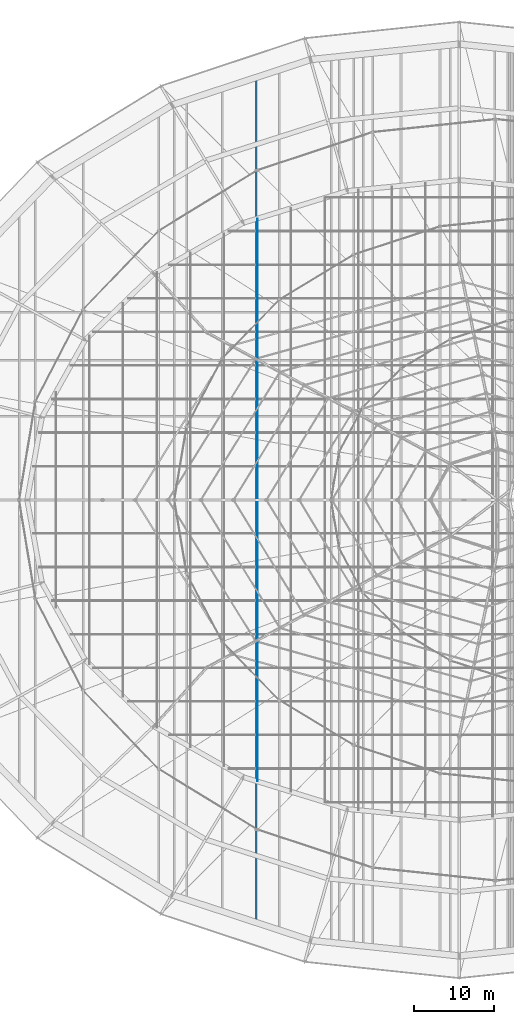
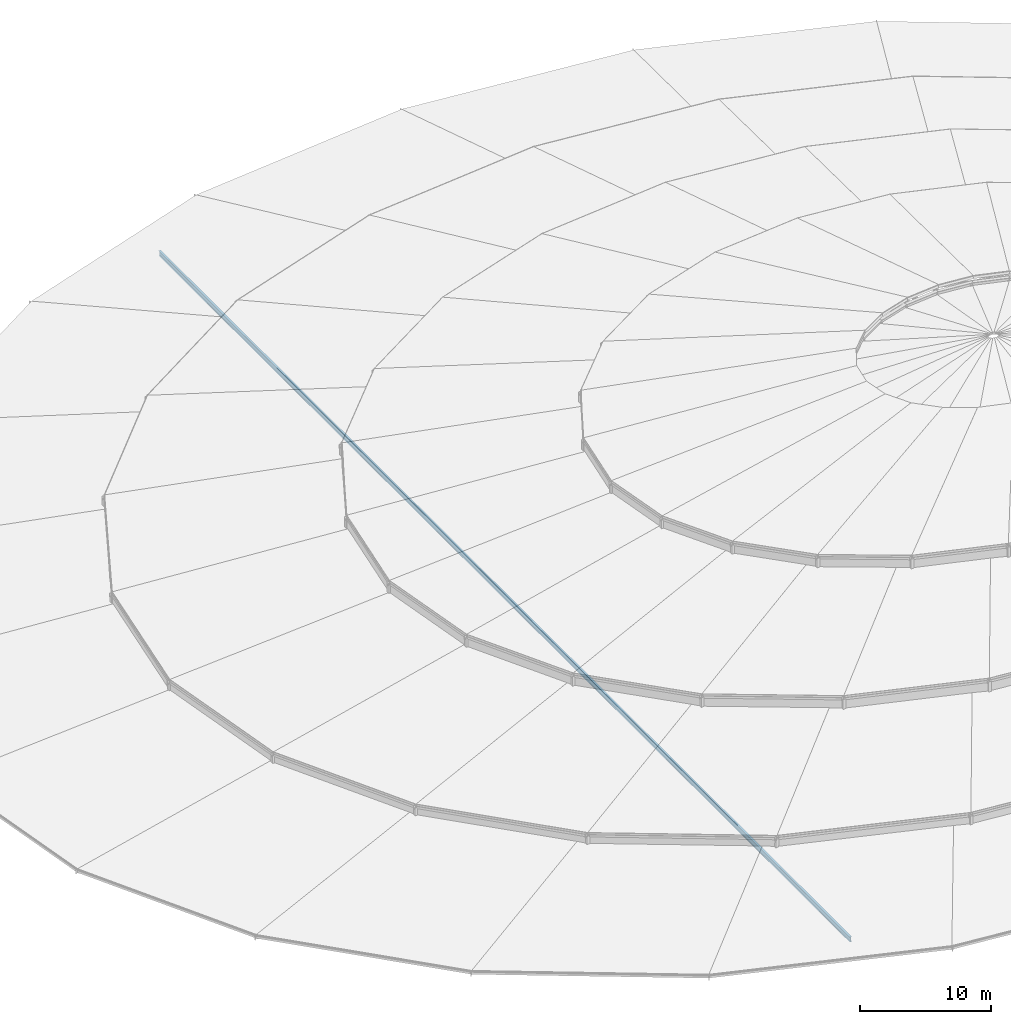
# One storey, part 22 of 184: 2 members.
"""IFC4 building model written with IfcOpenShell, lengths in metres."""

import ifcopenshell
import ifcopenshell.guid

model = None  # the IFC model being written
_history = None  # IfcOwnerHistory: only IFC2X3 demands one
_inside = {}  # id of a spatial element -> (the spatial element, [elements in it])
_under = {}  # id of a project, library or spatial element -> (it, [spatial elements below it])
_declared = {}  # id of a project -> (the project, [libraries it declares])
_typed = {}  # id of a type object -> (the type object, [elements of that type])
_made_of = {}  # id of a material, layer set ... -> (it, [elements and type objects made of it])


def new_model(schema):
    """Start an empty IFC model of exactly this schema.

    Asked for "IFC4X3", IfcOpenShell would pick the latest addendum, in which some entities
    have other attributes; the version numbers below select the first issue.
    IFC2X3 requires an IfcOwnerHistory on every rooted entity: one is made here for all.
    """
    global model, _history
    if schema == "IFC4X3":
        model = ifcopenshell.file(schema_version=(4, 3, 0, 0))
    else:
        model = ifcopenshell.file(schema=schema)
    _inside.clear()
    _under.clear()
    _declared.clear()
    _typed.clear()
    _made_of.clear()
    _history = None
    if model.schema == "IFC2X3":
        org = make("IfcOrganization", Name="unknown")
        user = make(
            "IfcPersonAndOrganization",
            ThePerson=make("IfcPerson", FamilyName="unknown"),
            TheOrganization=org,
        )
        app = make(
            "IfcApplication",
            ApplicationDeveloper=org,
            Version="unknown",
            ApplicationFullName="unknown",
            ApplicationIdentifier="unknown",
        )
        _history = make(
            "IfcOwnerHistory",
            OwningUser=user,
            OwningApplication=app,
            ChangeAction="ADDED",
            CreationDate=0,
        )
    return model


def make(cls, **values):
    """One entity of the class cls with the attributes given. An attribute that is None is left unset."""
    return model.create_entity(
        cls, **{name: value for name, value in values.items() if value is not None}
    )


def rooted(cls, **values):
    """An entity with a GlobalId (a new one), such as an element, a storey or a relation."""
    return make(cls, GlobalId=ifcopenshell.guid.new(), OwnerHistory=_history, **values)


def si_unit(unit_type, name, prefix=None):
    """IfcSIUnit, for example si_unit("LENGTHUNIT", "METRE", prefix="MILLI")."""
    return make("IfcSIUnit", UnitType=unit_type, Prefix=prefix, Name=name)


def assignment(units):
    """IfcUnitAssignment: the units of a project."""
    return None if units is None else make("IfcUnitAssignment", Units=units)


def point(xyz):
    """IfcCartesianPoint."""
    return None if xyz is None else make("IfcCartesianPoint", Coordinates=xyz)


def direction(xyz):
    """IfcDirection."""
    return None if xyz is None else make("IfcDirection", DirectionRatios=xyz)


def frame(location, z_axis=None, x_axis=None):
    """IfcAxis2Placement3D, a coordinate frame: its origin and axes. An axis left out is left unset."""
    return make(
        "IfcAxis2Placement3D",
        Location=point(location),
        Axis=direction(z_axis),
        RefDirection=direction(x_axis),
    )


def frame_2d(location, x_axis=None):
    """IfcAxis2Placement2D, a coordinate frame in the plane: its origin and x axis."""
    return make(
        "IfcAxis2Placement2D", Location=point(location), RefDirection=direction(x_axis)
    )


def origin():
    """The frame at (0, 0, 0) with its axes left unset."""
    return frame((0.0, 0.0, 0.0))


def origin_2d():
    """The frame at (0, 0) in the plane with its x axis left unset."""
    return frame_2d((0.0, 0.0))


def place(relative_to, where):
    """IfcLocalPlacement: puts the frame where relative to a parent placement (None: the world)."""
    return make(
        "IfcLocalPlacement", PlacementRelTo=relative_to, RelativePlacement=where
    )


def context(
    kind, dimensions, precision=None, world=None, true_north=None, identifier=None
):
    """IfcGeometricRepresentationContext, for example the 3D "Model" context."""
    return make(
        "IfcGeometricRepresentationContext",
        ContextIdentifier=identifier,
        ContextType=kind,
        CoordinateSpaceDimension=dimensions,
        Precision=precision,
        WorldCoordinateSystem=world,
        TrueNorth=true_north,
    )


def subcontext(parent, identifier, kind, view, scale=None):
    """IfcGeometricRepresentationSubContext, for example "Body" below "Model"."""
    return make(
        "IfcGeometricRepresentationSubContext",
        ContextIdentifier=identifier,
        ContextType=kind,
        ParentContext=parent,
        TargetScale=scale,
        TargetView=view,
    )


def project(units=None, contexts=None):
    """IfcProject with its units and contexts."""
    return rooted(
        "IfcProject",
        Name="project",
        RepresentationContexts=contexts,
        UnitsInContext=assignment(units),
    )


def spatial(cls, under=None, at=None, **own):
    """A site, building, storey or space (cls), placed at a placement, below another one or the project."""
    s = rooted(cls, ObjectPlacement=at, **own)
    if under is not None:
        _under.setdefault(under.id(), (under, []))[1].append(s)
    return s


def profile(cls, at=None, kind="AREA", **sizes):
    """A parametric profile (cls). Its sizes go by their IFC names, for example OverallWidth=200.0."""
    return make(cls, ProfileType=kind, Position=at, **sizes)


def circle(**sizes):
    """IfcCircleProfileDef."""
    return profile("IfcCircleProfileDef", **sizes)


def i_section(**sizes):
    """IfcIShapeProfileDef."""
    return profile("IfcIShapeProfileDef", **sizes)


def extrude(swept, where, along, depth):
    """IfcExtrudedAreaSolid: the profile swept, set in the frame where, extruded along a direction by depth."""
    return make(
        "IfcExtrudedAreaSolid",
        SweptArea=swept,
        Position=where,
        ExtrudedDirection=direction(along),
        Depth=depth,
    )


def shape(context_of_items, identifier, shape_type, items):
    """IfcShapeRepresentation: the items that make up one representation, for example the "Body"."""
    return make(
        "IfcShapeRepresentation",
        ContextOfItems=context_of_items,
        RepresentationIdentifier=identifier,
        RepresentationType=shape_type,
        Items=items,
    )


def material(Name=None, Category=None):
    """IfcMaterial."""
    return make("IfcMaterial", Name=Name, Category=Category)


def material_profile(
    of_material, cross_section, Name=None, Category=None, Priority=None
):
    """IfcMaterialProfile: a cross section and its material."""
    return make(
        "IfcMaterialProfile",
        Name=Name,
        Material=of_material,
        Profile=cross_section,
        Priority=Priority,
        Category=Category,
    )


def profile_set(profiles, Name=None, composite=None):
    """IfcMaterialProfileSet."""
    return make(
        "IfcMaterialProfileSet",
        Name=Name,
        MaterialProfiles=profiles,
        CompositeProfile=composite,
    )


def made_of(thing, what):
    """Note that an element or type object is made of a material, layer set ...; save() writes the relation."""
    if what is not None:
        _made_of.setdefault(what.id(), (what, []))[1].append(thing)
    return thing


def type_object(cls, material=None, **own):
    """A type object (cls), such as IfcWallType, which elements share."""
    return made_of(rooted(cls, **own), material)


def element(
    cls,
    number,
    at=None,
    inside=None,
    cuts=None,
    type_object=None,
    material=None,
    context=None,
    identifier="Body",
    shape_type=None,
    held_by="IfcProductDefinitionShape",
    body=None,
    shapes=None,
    **own,
):
    """One element of the class cls, such as IfcWall. Its Tag is "e" and its number.

    at: its placement. inside: the storey or other place that contains it. cuts: it is an
    opening in that element (IfcRelVoidsElement). A single representation is given by context,
    identifier, shape_type and body (its items); several are given by shapes. held_by: the class
    of the entity that holds the representations. save() writes the other relations.
    """
    e = rooted(cls, Tag="e%d" % number, ObjectPlacement=at, **own)
    if body is not None:
        shapes = [shape(context, identifier, shape_type, body)]
    if shapes is not None:
        e.Representation = make(held_by, Representations=shapes)
    if inside is not None:
        _inside.setdefault(inside.id(), (inside, []))[1].append(e)
    if cuts is not None:
        rooted(
            "IfcRelVoidsElement", RelatingBuildingElement=cuts, RelatedOpeningElement=e
        )
    if type_object is not None:
        _typed.setdefault(type_object.id(), (type_object, []))[1].append(e)
    return made_of(e, material)


def aggregate(whole, parts):
    """IfcRelAggregates: a whole, such as a stair, and the parts it consists of."""
    return rooted("IfcRelAggregates", RelatingObject=whole, RelatedObjects=parts)


def save(model, path):
    """Write the relations noted so far, then the file.

    IfcRelAggregates (storeys below a building ...), IfcRelContainedInSpatialStructure (elements
    in a storey), IfcRelDefinesByType, IfcRelAssociatesMaterial and IfcRelDeclares: one each for
    every whole, place, type object, material and project.
    """
    for whole, parts in _under.values():
        aggregate(whole, parts)
    for where, things in _inside.values():
        rooted(
            "IfcRelContainedInSpatialStructure",
            RelatedElements=things,
            RelatingStructure=where,
        )
    for kind, things in _typed.values():
        rooted("IfcRelDefinesByType", RelatedObjects=things, RelatingType=kind)
    for what, things in _made_of.values():
        rooted("IfcRelAssociatesMaterial", RelatedObjects=things, RelatingMaterial=what)
    for by, libraries in _declared.values():
        rooted("IfcRelDeclares", RelatingContext=by, RelatedDefinitions=libraries)
    model.write(path)


model = new_model("IFC4")

# Units and contexts
model_context = context("Model", 3, precision=1e-05, world=origin(), true_north=direction((0.0, 1.0)))
body_context = subcontext(model_context, "Body", "Model", "MODEL_VIEW")
ifc_project = project(units=[si_unit("LENGTHUNIT", "METRE"), si_unit("AREAUNIT", "SQUARE_METRE"), si_unit("VOLUMEUNIT", "CUBIC_METRE"), si_unit("PLANEANGLEUNIT", "RADIAN"), si_unit("MASSUNIT", "GRAM", prefix="KILO")], contexts=[model_context])

# Site, building, storey
site_placement = place(None, origin())
site = spatial("IfcSite", under=ifc_project, at=site_placement, CompositionType="ELEMENT")
building_placement = place(site_placement, origin())
building = spatial("IfcBuilding", under=site, at=building_placement, Name="Kalgoora Escarpment Arena", CompositionType="ELEMENT")
storey_placement = place(building_placement, frame((0.0, 0.0, 27.60009765625)))
storey = spatial("IfcBuildingStorey", under=building, at=storey_placement, Name="Roof Level", CompositionType="ELEMENT", Elevation=27.60009765625)

# Members
ifc_material_1 = material(Name="High-tensile spiral strand steel Grade 450 (350 MPa)", Category="steel")
ifc_material_profile_1 = material_profile(ifc_material_1, circle(Radius=0.028076171875, at=origin_2d()))
ifc_profile_set_1 = profile_set([ifc_material_profile_1], Name="High-tensile spiral strand steel Grade 450 (350 MPa)")
member_type_1 = type_object("IfcMemberType", Name="MEM-CABLE-56", PredefinedType="USERDEFINED", material=ifc_profile_set_1)
member_1_placement = place(storey_placement, frame((67.199951171875, 28.806640625, -1.190185546875), z_axis=(0.0, 1.0, 0.0), x_axis=(-1.0, 0.0, 0.0)))
element("IfcMember", 1, at=member_1_placement, inside=storey, type_object=member_type_1, Name="Roof saddle pretensioning cable Y-25", ObjectType="CABLE", PredefinedType="USERDEFINED", context=body_context, shape_type="SweptSolid", body=[
    extrude(circle(Radius=0.028076171875, at=origin_2d()), origin(), (0.0, 0.0, 1.0), 70.38671875),
])
ifc_material_2 = material(Name="Structural steel AS/NZS 3679 (300 MPa)", Category="steel")
ifc_material_profile_2 = material_profile(ifc_material_2, i_section(OverallWidth=0.19091796875, OverallDepth=0.4599609375, WebThickness=0.010009765625, FlangeThickness=0.01611328125, at=origin_2d()))
ifc_profile_set_2 = profile_set([ifc_material_profile_2], Name="Structural steel AS/NZS 3679 (300 MPa)")
member_type_2 = type_object("IfcMemberType", Name="MEM-CARRIER-CHORD", PredefinedType="CHORD", material=ifc_profile_set_2)
member_2_placement = place(storey_placement, frame((67.02001953125, 11.17724609375, -1.080078125), z_axis=(0.0, 1.0, 0.0), x_axis=(-1.0, 0.0, 0.0)))
element("IfcMember", 2, at=member_2_placement, inside=storey, type_object=member_type_2, Name="Petal RP2 spanning carrier chord C09", PredefinedType="CHORD", context=body_context, shape_type="SweptSolid", body=[
    extrude(i_section(OverallWidth=0.19091796875, OverallDepth=0.4599609375, WebThickness=0.010009765625, FlangeThickness=0.01611328125, at=origin_2d()), origin(), (0.0, 0.0, 1.0), 105.6455078125),
])

save(model, "model.ifc")
